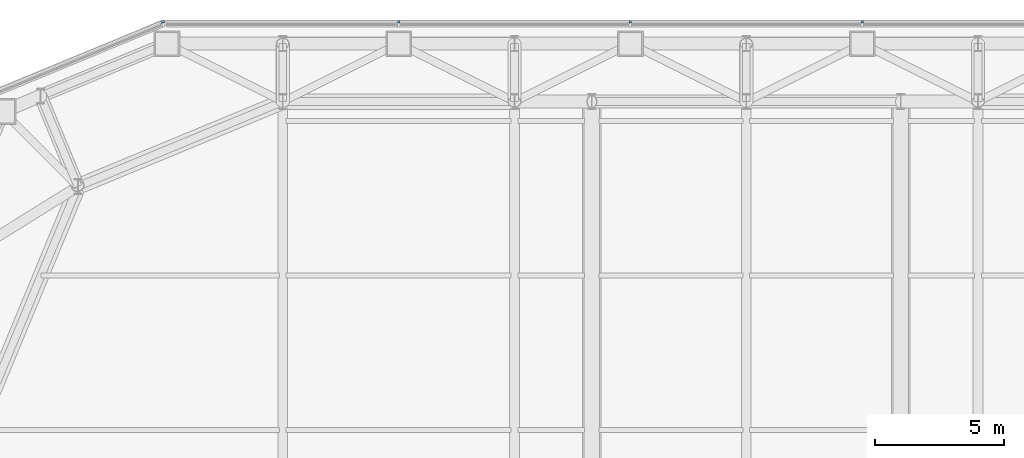
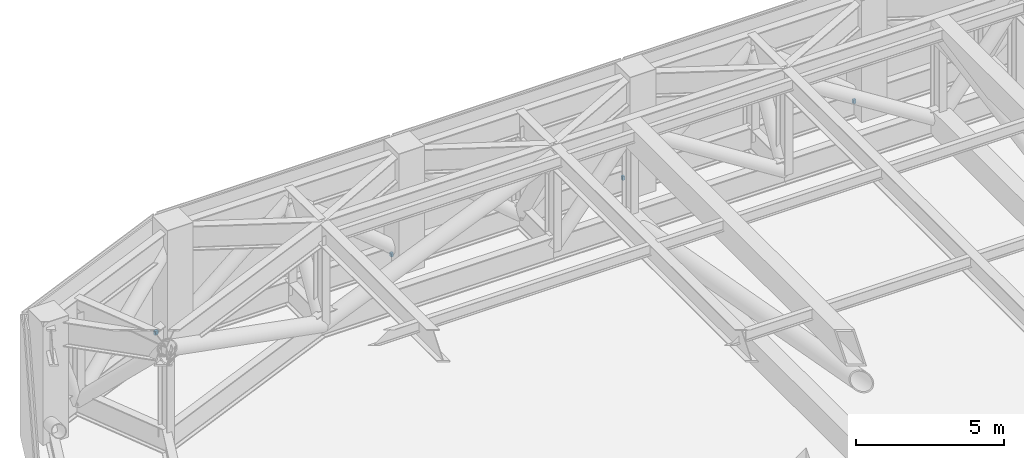
# One storey, part 27 of 33: 4 discrete accessories.
"""IFC4 building model written with IfcOpenShell, lengths in metres."""

from ifc_helpers import new_model, si_unit, direction, frame, origin, origin_2d, place, context, subcontext, project, spatial, rectangle, extrude, material, type_object, element, save


model = new_model("IFC4")

# Units and contexts
model_context = context("Model", 3, precision=1e-05, world=origin(), true_north=direction((0.0, 1.0)))
body_context = subcontext(model_context, "Body", "Model", "MODEL_VIEW")
ifc_project = project(units=[si_unit("LENGTHUNIT", "METRE"), si_unit("AREAUNIT", "SQUARE_METRE"), si_unit("VOLUMEUNIT", "CUBIC_METRE"), si_unit("PLANEANGLEUNIT", "RADIAN"), si_unit("MASSUNIT", "GRAM", prefix="KILO")], contexts=[model_context])

# Site, building, storey
site_placement = place(None, origin())
site = spatial("IfcSite", under=ifc_project, at=site_placement, CompositionType="ELEMENT")
building_placement = place(site_placement, origin())
building = spatial("IfcBuilding", under=site, at=building_placement, Name="Siwar Civic Tower", CompositionType="ELEMENT")
storey_placement = place(building_placement, frame((0.0, 0.0, 94.199951171875)))
storey = spatial("IfcBuildingStorey", under=building, at=storey_placement, Name="L20", CompositionType="ELEMENT", Elevation=94.199951171875)

# Discrete accessories
ifc_material = material(Name="Stainless steel 316", Category="steel")
discrete_accessory_type = type_object("IfcDiscreteAccessoryType", Name="ENV-BRACKET", PredefinedType="BRACKET", material=ifc_material)
for number, where, z_axis, x_axis, name in (
    (1, (4.5, 32.35009765625, -0.1796875), (0.0, 0.0, 1.0), (0.0, 1.0, 0.0), "Bracket outer skin joint N-02"),
    (2, (-4.5, 32.35009765625, -0.1796875), (0.0, 0.0, 1.0), (0.0, 1.0, 0.0), "Bracket outer skin joint N-03"),
    (3, (-13.5, 32.35009765625, -0.1796875), (0.0, 0.0, 1.0), (0.0, 1.0, 0.0), "Bracket outer skin joint N-04"),
):
    element("IfcDiscreteAccessory", number, at=place(storey_placement, frame(where, z_axis=z_axis, x_axis=x_axis)), inside=storey, type_object=discrete_accessory_type, Name=name, PredefinedType="BRACKET", context=body_context, shape_type="SweptSolid", body=[
        extrude(rectangle(XDim=0.10009765625, YDim=0.10009765625, at=origin_2d()), origin(), (0.0, 0.0, 1.0), 0.159912109375),
    ])
discrete_accessory_placement = place(storey_placement, frame((-22.669189453125, 32.35009765625, -0.1796875), z_axis=(0.0, 0.0, 1.0), x_axis=(-0.195090322016, 0.980785280403, 0.0)))
element("IfcDiscreteAccessory", 4, at=discrete_accessory_placement, inside=storey, type_object=discrete_accessory_type, Name="Bracket outer skin joint V07", PredefinedType="BRACKET", context=body_context, shape_type="SweptSolid", body=[
    extrude(rectangle(XDim=0.10205078125, YDim=0.13720703125, at=origin_2d()), origin(), (0.0, 0.0, 1.0), 0.159912109375),
])

save(model, "model.ifc")
